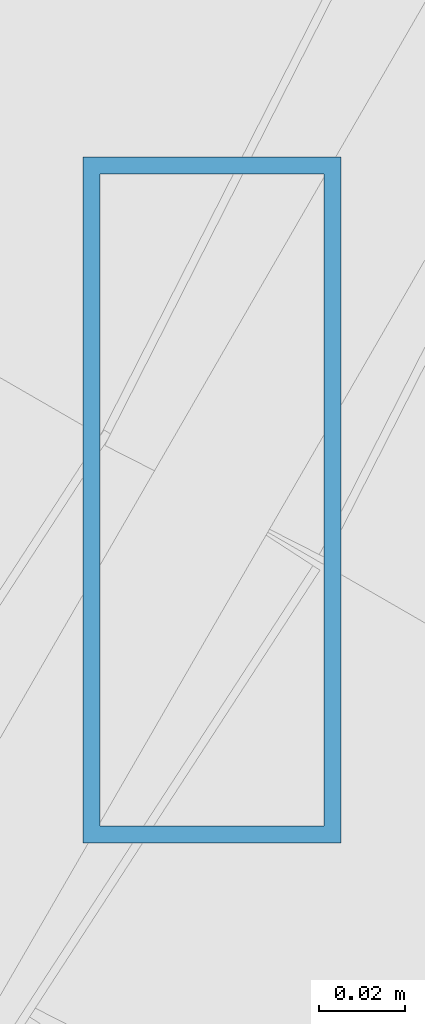
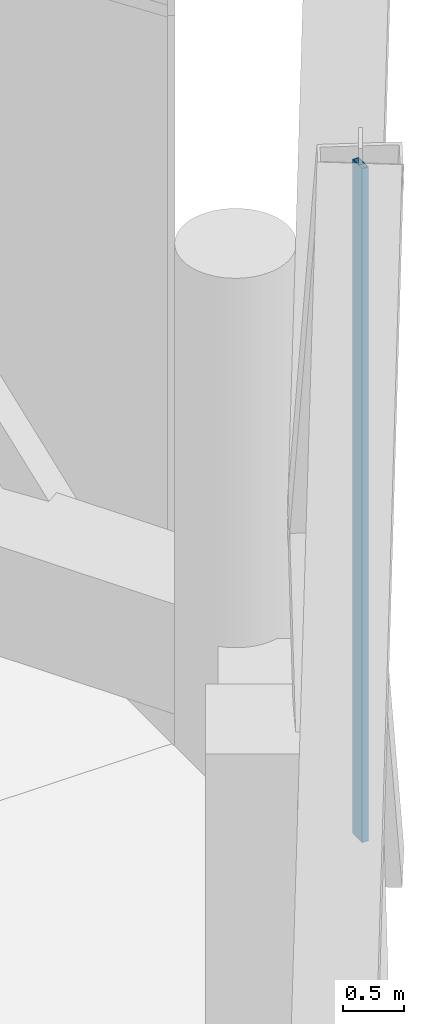
# One storey, part 21 of 43: 1 member, 1 element without a shape of its own.
"""IFC4 building model written with IfcOpenShell, lengths in metres."""

from ifc_helpers import new_model, si_unit, direction, frame, origin, origin_2d, place, context, subcontext, project, spatial, hollow_rectangle, extrude, material, material_profile, profile_set, type_object, element, aggregate, save


model = new_model("IFC4")

# Units and contexts
model_context = context("Model", 3, precision=1e-05, world=origin(), true_north=direction((0.0, 1.0)))
body_context = subcontext(model_context, "Body", "Model", "MODEL_VIEW")
ifc_project = project(units=[si_unit("LENGTHUNIT", "METRE"), si_unit("AREAUNIT", "SQUARE_METRE"), si_unit("VOLUMEUNIT", "CUBIC_METRE"), si_unit("PLANEANGLEUNIT", "RADIAN"), si_unit("MASSUNIT", "GRAM", prefix="KILO")], contexts=[model_context])

# Site, building, storey
site_placement = place(None, origin())
site = spatial("IfcSite", under=ifc_project, at=site_placement, CompositionType="ELEMENT")
building_placement = place(site_placement, origin())
building = spatial("IfcBuilding", under=site, at=building_placement, Name="Ostrander Bayou Hotel Tower", CompositionType="ELEMENT")
storey_placement = place(building_placement, frame((0.0, 0.0, 151.0)))
storey = spatial("IfcBuildingStorey", under=building, at=storey_placement, Name="L37", CompositionType="ELEMENT", Elevation=151.0)

# Curtain wall, member
ifc_material_1 = material(Name="Aluminium and clear glass", Category="aluminium")
curtain_wall_type = type_object("IfcCurtainWallType", Name="CW-LAT lattice glazing", PredefinedType="NOTDEFINED", material=ifc_material_1)
curtain_wall_placement = place(storey_placement, origin())
curtain_wall = element("IfcCurtainWall", 1, at=curtain_wall_placement, inside=storey, type_object=curtain_wall_type, Name="CW-LAT L37 SE 1", PredefinedType="NOTDEFINED")
ifc_material_2 = material(Name="Aluminium", Category="aluminium")
ifc_material_profile = material_profile(ifc_material_2, hollow_rectangle(XDim=0.06005859375, YDim=0.159912109375, WallThickness=0.00390625, at=origin_2d()))
ifc_profile_set = profile_set([ifc_material_profile], Name="Aluminium")
member_type = type_object("IfcMemberType", Name="CW-LA mullion 60 x 160 mm", PredefinedType="MULLION", material=ifc_profile_set)
member_placement = place(storey_placement, frame((16.51513671875, -9.534912109375, 6.14990234375), z_axis=(0.0, 0.0, 1.0), x_axis=(1.0, 0.0, 0.0)))
member = element("IfcMember", 2, at=member_placement, type_object=member_type, Name="CW-LAT mullion 5", PredefinedType="MULLION", context=body_context, shape_type="SweptSolid", body=[
    extrude(hollow_rectangle(XDim=0.06005859375, YDim=0.159912109375, WallThickness=0.00390625, at=origin_2d()), origin(), (0.0, 0.0, 1.0), 6.75),
])
aggregate(curtain_wall, [member])

save(model, "model.ifc")
